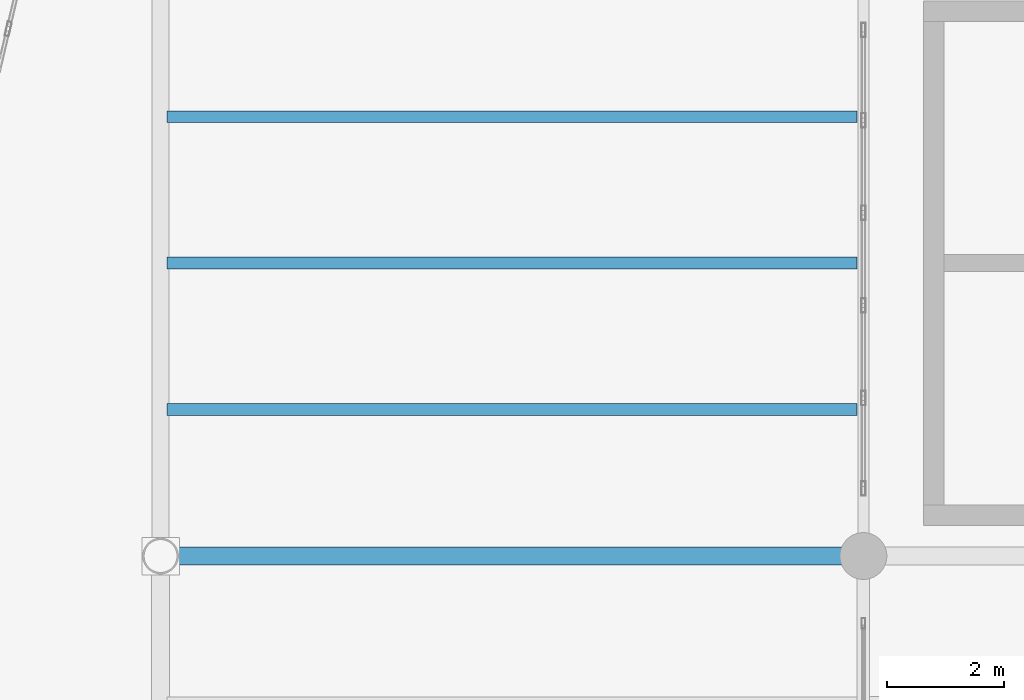
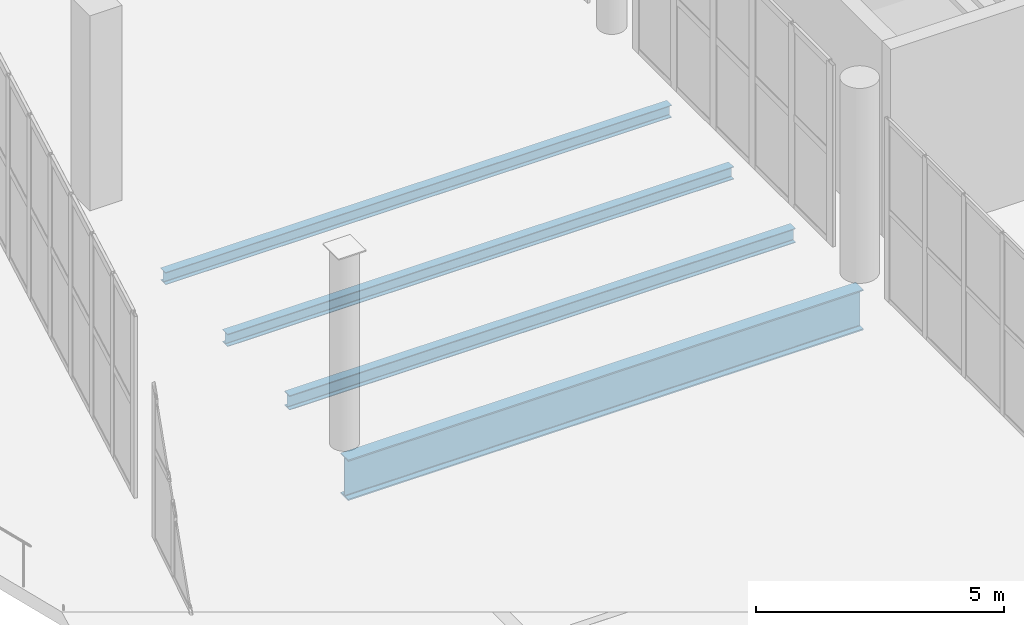
# One storey, part 44 of 136: 4 beams.
"""IFC4 building model written with IfcOpenShell, lengths in metres."""

from ifc_helpers import new_model, si_unit, direction, frame, origin, origin_2d, place, context, subcontext, project, spatial, i_section, extrude, material, material_profile, profile_set, type_object, element, save


model = new_model("IFC4")

# Units and contexts
model_context = context("Model", 3, precision=1e-05, world=origin(), true_north=direction((0.0, 1.0)))
body_context = subcontext(model_context, "Body", "Model", "MODEL_VIEW")
ifc_project = project(units=[si_unit("LENGTHUNIT", "METRE"), si_unit("AREAUNIT", "SQUARE_METRE"), si_unit("VOLUMEUNIT", "CUBIC_METRE"), si_unit("PLANEANGLEUNIT", "RADIAN"), si_unit("MASSUNIT", "GRAM", prefix="KILO")], contexts=[model_context])

# Site, building, storey
site_placement = place(None, origin())
site = spatial("IfcSite", under=ifc_project, at=site_placement, CompositionType="ELEMENT")
building_placement = place(site_placement, origin())
building = spatial("IfcBuilding", under=site, at=building_placement, Name="Brinegate Civic Arena", CompositionType="ELEMENT")
storey_placement = place(building_placement, frame((0.0, 0.0, 5.39990234375)))
storey = spatial("IfcBuildingStorey", under=building, at=storey_placement, Name="L01", CompositionType="ELEMENT", Elevation=5.39990234375)

# Beams
ifc_material = material(Name="Steel S355", Category="steel")
ifc_material_profile_1 = material_profile(ifc_material, i_section(OverallWidth=0.300048828125, OverallDepth=1.0, WebThickness=0.01904296875, FlangeThickness=0.031982421875, FilletRadius=0.02392578125, at=origin_2d()), Name="W1000X321")
ifc_profile_set_1 = profile_set([ifc_material_profile_1], Name="Steel S355")
beam_type_1 = type_object("IfcBeamType", Name="GIRDER-W1000X321", PredefinedType="BEAM", material=ifc_profile_set_1)
beam_1_placement = place(storey_placement, frame((36.0, 72.0, -0.83984375), z_axis=(1.0, 0.0, 0.0), x_axis=(0.0, 1.0, 0.0)))
element("IfcBeam", 1, at=beam_1_placement, inside=storey, type_object=beam_type_1, Name="Floor Girder BM-L01-GX-03-07", PredefinedType="BEAM", context=body_context, shape_type="SweptSolid", body=[
    extrude(i_section(OverallWidth=0.300048828125, OverallDepth=1.0, WebThickness=0.01904296875, FlangeThickness=0.031982421875, FilletRadius=0.02392578125, at=origin_2d()), origin(), (0.0, 0.0, 1.0), 12.0),
])
ifc_material_profile_2 = material_profile(ifc_material, i_section(OverallWidth=0.202880859375, OverallDepth=0.302978515625, WebThickness=0.008056640625, FlangeThickness=0.012939453125, FilletRadius=0.012939453125, at=origin_2d()), Name="W310X60")
ifc_profile_set_2 = profile_set([ifc_material_profile_2], Name="Steel S355")
beam_type_2 = type_object("IfcBeamType", Name="JOIST-W310X60", PredefinedType="JOIST", material=ifc_profile_set_2)
beam_2_placement = place(storey_placement, frame((36.10595703125, 79.5, -0.490966796875), z_axis=(1.0, 0.0, 0.0), x_axis=(0.0, 1.0, 0.0)))
element("IfcBeam", 2, at=beam_2_placement, inside=storey, type_object=beam_type_2, Name="Secondary Joist BM-L01-JX-03-07-3", PredefinedType="JOIST", context=body_context, shape_type="SweptSolid", body=[
    extrude(i_section(OverallWidth=0.202880859375, OverallDepth=0.302978515625, WebThickness=0.008056640625, FlangeThickness=0.012939453125, FilletRadius=0.012939453125, at=origin_2d()), origin(), (0.0, 0.0, 1.0), 11.7880859375),
])
ifc_material_profile_3 = material_profile(ifc_material, i_section(OverallWidth=0.205078125, OverallDepth=0.31005859375, WebThickness=0.009033203125, FlangeThickness=0.01611328125, FilletRadius=0.012939453125, at=origin_2d()), Name="W310X74")
ifc_profile_set_3 = profile_set([ifc_material_profile_3], Name="Steel S355")
beam_type_3 = type_object("IfcBeamType", Name="JOIST-W310X74", PredefinedType="JOIST", material=ifc_profile_set_3)
beam_3_placement = place(storey_placement, frame((36.10595703125, 77.0, -0.494873046875), z_axis=(1.0, 0.0, 0.0), x_axis=(0.0, 1.0, 0.0)))
element("IfcBeam", 3, at=beam_3_placement, inside=storey, type_object=beam_type_3, Name="Secondary Joist BM-L01-JX-03-07-2", PredefinedType="JOIST", context=body_context, shape_type="SweptSolid", body=[
    extrude(i_section(OverallWidth=0.205078125, OverallDepth=0.31005859375, WebThickness=0.009033203125, FlangeThickness=0.01611328125, FilletRadius=0.012939453125, at=origin_2d()), origin(), (0.0, 0.0, 1.0), 11.7880859375),
])
ifc_material_profile_4 = material_profile(ifc_material, i_section(OverallWidth=0.205078125, OverallDepth=0.35400390625, WebThickness=0.009033203125, FlangeThickness=0.01708984375, FilletRadius=0.013916015625, at=origin_2d()), Name="W360X79")
ifc_profile_set_4 = profile_set([ifc_material_profile_4], Name="Steel S355")
beam_type_4 = type_object("IfcBeamType", Name="JOIST-W360X79", PredefinedType="JOIST", material=ifc_profile_set_4)
beam_4_placement = place(storey_placement, frame((36.10595703125, 74.5, -0.516845703125), z_axis=(1.0, 0.0, 0.0), x_axis=(0.0, 1.0, 0.0)))
element("IfcBeam", 4, at=beam_4_placement, inside=storey, type_object=beam_type_4, Name="Secondary Joist BM-L01-JX-03-07-1", PredefinedType="JOIST", context=body_context, shape_type="SweptSolid", body=[
    extrude(i_section(OverallWidth=0.205078125, OverallDepth=0.35400390625, WebThickness=0.009033203125, FlangeThickness=0.01708984375, FilletRadius=0.013916015625, at=origin_2d()), origin(), (0.0, 0.0, 1.0), 11.7880859375),
])

save(model, "model.ifc")
